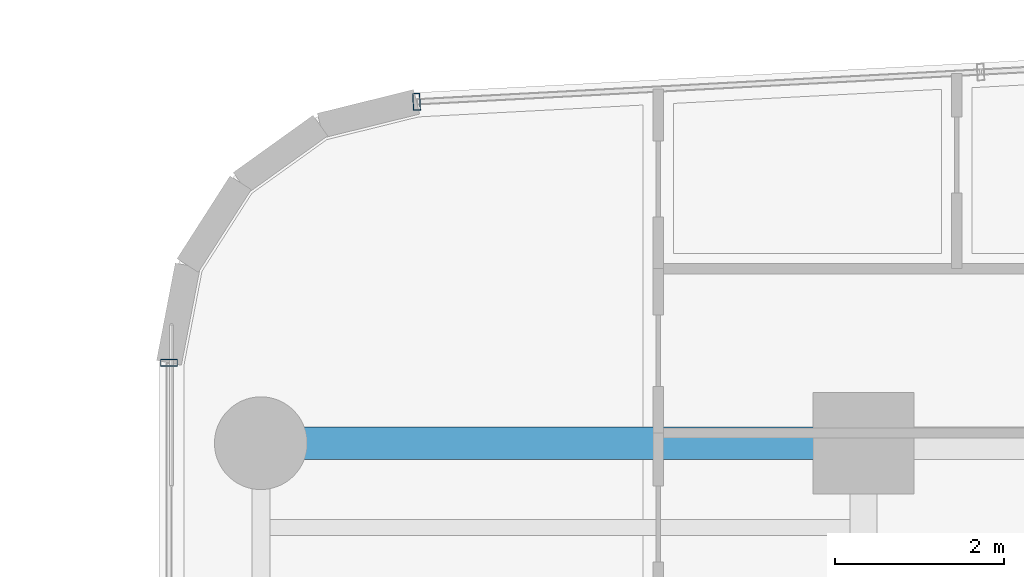
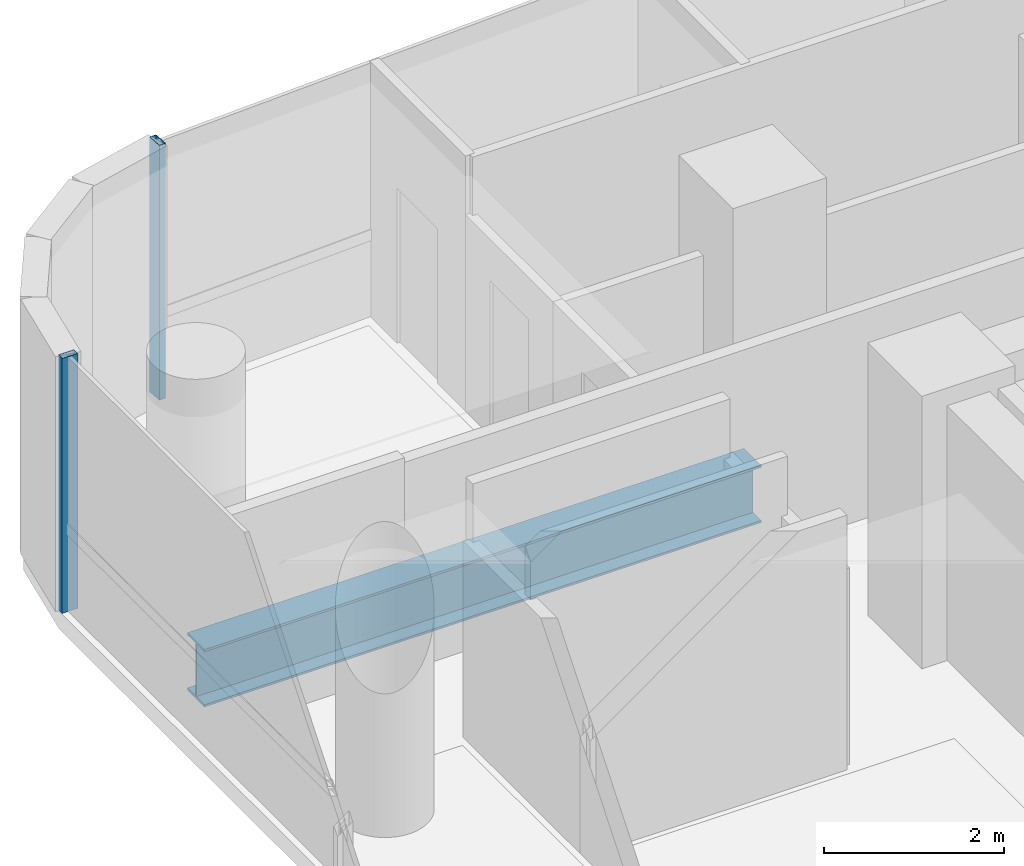
# One storey, part 19 of 34: 2 members, 1 beam, 2 elements without a shape of their own.
"""IFC4 building model written with IfcOpenShell, lengths in metres."""

from ifc_helpers import new_model, si_unit, direction, frame, origin, origin_2d, place, context, subcontext, project, spatial, hollow_rectangle, i_section, extrude, source, transform, mapped, material, material_profile, profile_set, type_object, element, aggregate, save


model = new_model("IFC4")

# Units and contexts
model_context = context("Model", 3, precision=1e-05, world=origin(), true_north=direction((0.0, 1.0)))
body_context = subcontext(model_context, "Body", "Model", "MODEL_VIEW")
ifc_project = project(units=[si_unit("LENGTHUNIT", "METRE"), si_unit("AREAUNIT", "SQUARE_METRE"), si_unit("VOLUMEUNIT", "CUBIC_METRE"), si_unit("PLANEANGLEUNIT", "RADIAN"), si_unit("MASSUNIT", "GRAM", prefix="KILO")], contexts=[model_context])

# Site, building, storey
site_placement = place(None, origin())
site = spatial("IfcSite", under=ifc_project, at=site_placement, CompositionType="ELEMENT")
building_placement = place(site_placement, origin())
building = spatial("IfcBuilding", under=site, at=building_placement, Name="Valdorenza Pilgrim Sanctuary Tower", CompositionType="ELEMENT")
storey_placement = place(building_placement, frame((0.0, 0.0, 161.199951171875)))
storey = spatial("IfcBuildingStorey", under=building, at=storey_placement, Name="L41", CompositionType="ELEMENT", Elevation=161.199951171875)

# Beam
ifc_material_1 = material(Name="Steel ASTM A992 Grade 50", Category="steel")
ifc_material_profile_1 = material_profile(ifc_material_1, i_section(OverallWidth=0.382080078125, OverallDepth=0.779052734375, WebThickness=0.01806640625, FlangeThickness=0.030029296875, at=origin_2d()), Name="W30X191")
ifc_profile_set_1 = profile_set([ifc_material_profile_1], Name="Steel ASTM A992 Grade 50")
beam_type = type_object("IfcBeamType", Name="STR-BM-GRD-W30", PredefinedType="BEAM", material=ifc_profile_set_1)
shared_shape_1 = source(origin(), body_context, "Body", "SweptSolid", [
    extrude(i_section(OverallWidth=0.382080078125, OverallDepth=0.779052734375, WebThickness=0.01806640625, FlangeThickness=0.030029296875, at=origin_2d()), origin(), (0.0, 0.0, 1.0), 7.150146484375),
])
beam_placement = place(storey_placement, frame((-29.800048828125, 14.800048828125, -0.62939453125), z_axis=(1.0, 0.0, 0.0), x_axis=(0.0, 1.0, 0.0)))
element("IfcBeam", 1, at=beam_placement, inside=storey, type_object=beam_type, Name="L41 Floor Girder WA-XW-N2", PredefinedType="BEAM", context=body_context, shape_type="MappedRepresentation", body=[
    mapped(shared_shape_1, transform((0.0, 0.0, 0.0), x_axis=(1.0, 0.0, 0.0), y_axis=(0.0, 1.0, 0.0), z_axis=(0.0, 0.0, 1.0), scale=1.0)),
])

# Curtain wall, member
ifc_material_2 = material(Name="Curtain-wall IGU glazing", Category="glass")
curtain_wall_type = type_object("IfcCurtainWallType", Name="CW-SYS-02", PredefinedType="NOTDEFINED", material=ifc_material_2)
curtain_wall_1_placement = place(storey_placement, origin())
curtain_wall_1 = element("IfcCurtainWall", 2, at=curtain_wall_1_placement, inside=storey, type_object=curtain_wall_type, Name="L41 Curtain Wall CW-L41-1-1S2", PredefinedType="NOTDEFINED")
ifc_material_3 = material(Name="Anodised aluminium AW-6060", Category="aluminium")
ifc_material_profile_2 = material_profile(ifc_material_3, hollow_rectangle(XDim=0.0849609375, YDim=0.199951171875, WallThickness=0.0048828125, at=origin_2d()), Name="ALU-M 200x85x5")
ifc_profile_set_2 = profile_set([ifc_material_profile_2], Name="Anodised aluminium AW-6060")
member_type = type_object("IfcMemberType", Name="CW-MUL-02", PredefinedType="MULLION", material=ifc_profile_set_2)
shared_shape_2 = source(origin(), body_context, "Body", "SweptSolid", [
    extrude(hollow_rectangle(XDim=0.0849609375, YDim=0.199951171875, WallThickness=0.0048828125, at=origin_2d()), origin(), (0.0, 0.0, 1.0), 3.4599609375),
])
member_1_placement = place(storey_placement, frame((-30.889892578125, 15.754150390625, 0.0), z_axis=(0.0, 0.0, 1.0), x_axis=(0.0, 1.0, 0.0)))
member_1 = element("IfcMember", 3, at=member_1_placement, type_object=member_type, Name="CW-L41-1-1S2 Mullion 4", PredefinedType="MULLION", context=body_context, shape_type="MappedRepresentation", body=[
    mapped(shared_shape_2, transform((0.0, 0.0, 0.0), x_axis=(1.0, 0.0, 0.0), y_axis=(0.0, 1.0, 0.0), z_axis=(0.0, 0.0, 1.0), scale=1.0)),
])
aggregate(curtain_wall_1, [member_1])

curtain_wall_2_placement = place(storey_placement, origin())
curtain_wall_2 = element("IfcCurtainWall", 4, at=curtain_wall_2_placement, inside=storey, type_object=curtain_wall_type, Name="L41 Curtain Wall CW-L41-1-6", PredefinedType="NOTDEFINED")
member_2_placement = place(storey_placement, frame((-27.952392578125, 18.850830078125, 0.0), z_axis=(0.0, 0.0, 1.0), x_axis=(0.998607524712, 0.052754256601, 0.0)))
member_2 = element("IfcMember", 5, at=member_2_placement, type_object=member_type, Name="CW-L41-1-6 Mullion 1", PredefinedType="MULLION", context=body_context, shape_type="MappedRepresentation", body=[
    mapped(shared_shape_2, transform((0.0, 0.0, 0.0), x_axis=(1.0, 0.0, 0.0), y_axis=(0.0, 1.0, 0.0), z_axis=(0.0, 0.0, 1.0), scale=1.0)),
])
aggregate(curtain_wall_2, [member_2])

save(model, "model.ifc")
